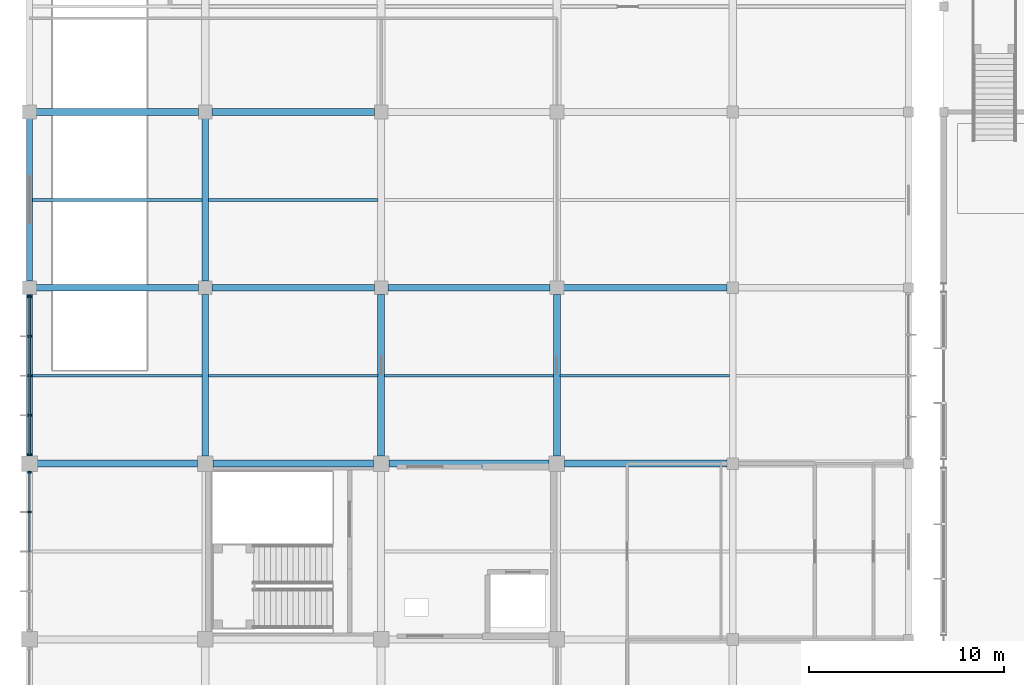
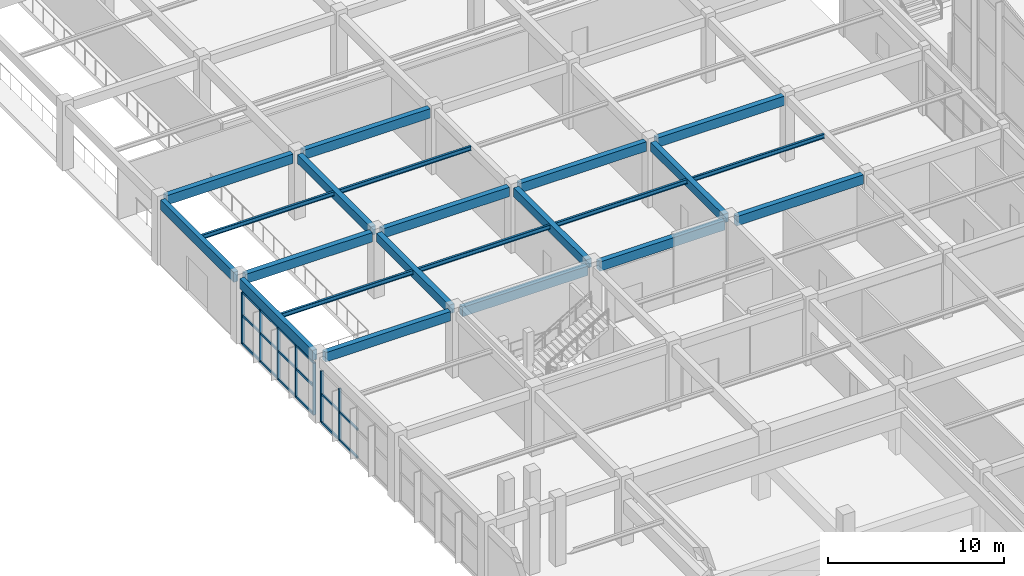
# One storey, part 26 of 82: 22 beams, 20 members, 2 elements without a shape of their own.
"""IFC4 building model written with IfcOpenShell, lengths in metres."""

from ifc_helpers import new_model, si_unit, direction, frame, origin, origin_2d, place, context, subcontext, project, spatial, rectangle, i_section, extrude, material, material_profile, profile_set, type_object, element, aggregate, save


model = new_model("IFC4")

# Units and contexts
model_context = context("Model", 3, precision=1e-05, world=origin(), true_north=direction((0.0, 1.0)))
body_context = subcontext(model_context, "Body", "Model", "MODEL_VIEW")
ifc_project = project(units=[si_unit("LENGTHUNIT", "METRE"), si_unit("AREAUNIT", "SQUARE_METRE"), si_unit("VOLUMEUNIT", "CUBIC_METRE"), si_unit("PLANEANGLEUNIT", "RADIAN"), si_unit("MASSUNIT", "GRAM", prefix="KILO")], contexts=[model_context])

# Site, building, storey
site_placement = place(None, origin())
site = spatial("IfcSite", under=ifc_project, at=site_placement, CompositionType="ELEMENT")
building_placement = place(site_placement, origin())
building = spatial("IfcBuilding", under=site, at=building_placement, Name="Suirenkawa Promenade Aquatics Centre", CompositionType="ELEMENT")
storey_placement = place(building_placement, origin())
storey = spatial("IfcBuildingStorey", under=building, at=storey_placement, Name="L00", CompositionType="ELEMENT", Elevation=0.0)

# Beams
ifc_material_1 = material(Name="Steel IS 2062 E350 (Grade 350)", Category="steel")
ifc_material_profile_1 = material_profile(ifc_material_1, i_section(OverallWidth=0.139892578125, OverallDepth=0.300048828125, WebThickness=0.008056640625, FlangeThickness=0.012939453125, at=origin_2d()), Name="ISMB 300", Category="steel")
ifc_profile_set_1 = profile_set([ifc_material_profile_1], Name="Steel IS 2062 E350 (Grade 350)")
beam_type_1 = type_object("IfcBeamType", Name="BT-JOIST-ISMB300", PredefinedType="JOIST", material=ifc_profile_set_1)
for number, where, z_axis, x_axis, name in (
    (1, (0.14404296875, 72.89990234375, 4.347900390625), (1.0, 0.0, 0.0), (0.0, 1.0, 0.0), "Secondary floor joist JS-02 BM-0339"),
    (2, (0.14404296875, 81.89990234375, 4.347900390625), (1.0, 0.0, 0.0), (0.0, 1.0, 0.0), "Secondary floor joist JS-02 BM-0340"),
):
    element("IfcBeam", number, at=place(storey_placement, frame(where, z_axis=z_axis, x_axis=x_axis)), inside=storey, type_object=beam_type_1, Name=name, PredefinedType="JOIST", context=body_context, shape_type="SweptSolid", body=[
        extrude(i_section(OverallWidth=0.139892578125, OverallDepth=0.300048828125, WebThickness=0.008056640625, FlangeThickness=0.012939453125, at=origin_2d()), origin(), (0.0, 0.0, 1.0), 8.68701171875),
    ])
for number, where, z_axis, x_axis, name in (
    (3, (9.1689453125, 72.89990234375, 4.347900390625), (1.0, 0.0, 0.0), (0.0, 1.0, 0.0), "Secondary floor joist JS-02 BM-0347"),
    (4, (9.1689453125, 81.89990234375, 4.347900390625), (1.0, 0.0, 0.0), (0.0, 1.0, 0.0), "Secondary floor joist JS-02 BM-0348"),
    (5, (18.1689453125, 72.89990234375, 4.347900390625), (1.0, 0.0, 0.0), (0.0, 1.0, 0.0), "Secondary floor joist JS-02 BM-0357"),
    (6, (27.1689453125, 72.89990234375, 4.347900390625), (1.0, 0.0, 0.0), (0.0, 1.0, 0.0), "Secondary floor joist JS-02 BM-0369"),
):
    element("IfcBeam", number, at=place(storey_placement, frame(where, z_axis=z_axis, x_axis=x_axis)), inside=storey, type_object=beam_type_1, Name=name, PredefinedType="JOIST", context=body_context, shape_type="SweptSolid", body=[
        extrude(i_section(OverallWidth=0.139892578125, OverallDepth=0.300048828125, WebThickness=0.008056640625, FlangeThickness=0.012939453125, at=origin_2d()), origin(), (0.0, 0.0, 1.0), 8.662109375),
    ])
ifc_material_2 = material(Name="Concrete M35", Category="concrete")
ifc_material_profile_2 = material_profile(ifc_material_2, rectangle(XDim=0.35009765625, YDim=0.60009765625, at=origin_2d()), Name="RC BM 350x600", Category="concrete")
ifc_profile_set_2 = profile_set([ifc_material_profile_2], Name="Concrete M35")
beam_type_2 = type_object("IfcBeamType", Name="BT-RC-350x600", PredefinedType="BEAM", material=ifc_profile_set_2)
beam_1_placement = place(storey_placement, frame((9.0, 68.7939453125, 4.199951171875), z_axis=(0.0, 1.0, 0.0), x_axis=(-1.0, 0.0, 0.0)))
element("IfcBeam", 7, at=beam_1_placement, inside=storey, type_object=beam_type_2, Name="Floor beam BM-02 BM-0281", PredefinedType="BEAM", context=body_context, shape_type="SweptSolid", body=[
    extrude(rectangle(XDim=0.35009765625, YDim=0.60009765625, at=origin_2d()), origin(), (0.0, 0.0, 1.0), 8.261962890625),
])
beam_2_placement = place(storey_placement, frame((9.0, 77.743896484375, 4.199951171875), z_axis=(0.0, 1.0, 0.0), x_axis=(-1.0, 0.0, 0.0)))
element("IfcBeam", 8, at=beam_2_placement, inside=storey, type_object=beam_type_2, Name="Floor beam BM-02 BM-0282", PredefinedType="BEAM", context=body_context, shape_type="SweptSolid", body=[
    extrude(rectangle(XDim=0.35009765625, YDim=0.60009765625, at=origin_2d()), origin(), (0.0, 0.0, 1.0), 8.31201171875),
])
for number, where, z_axis, x_axis, name in (
    (9, (18.0, 68.7939453125, 4.199951171875), (0.0, 1.0, 0.0), (-1.0, 0.0, 0.0), "Floor beam BM-02 BM-0291"),
    (10, (27.0, 68.7939453125, 4.199951171875), (0.0, 1.0, 0.0), (-1.0, 0.0, 0.0), "Floor beam BM-02 BM-0303"),
):
    element("IfcBeam", number, at=place(storey_placement, frame(where, z_axis=z_axis, x_axis=x_axis)), inside=storey, type_object=beam_type_2, Name=name, PredefinedType="BEAM", context=body_context, shape_type="SweptSolid", body=[
        extrude(rectangle(XDim=0.35009765625, YDim=0.60009765625, at=origin_2d()), origin(), (0.0, 0.0, 1.0), 8.261962890625),
    ])
ifc_material_profile_3 = material_profile(ifc_material_2, rectangle(XDim=0.35009765625, YDim=0.64990234375, at=origin_2d()), Name="RC BM 350x650", Category="concrete")
ifc_profile_set_3 = profile_set([ifc_material_profile_3], Name="Concrete M35")
beam_type_3 = type_object("IfcBeamType", Name="BT-RC-350x650", PredefinedType="BEAM", material=ifc_profile_set_3)
for number, where, z_axis, x_axis, name in (
    (11, (0.39404296875, 68.39990234375, 4.175048828125), (1.0, 0.0, 0.0), (0.0, 1.0, 0.0), "Floor beam BM-03 BM-0232"),
    (12, (9.39404296875, 68.39990234375, 4.175048828125), (1.0, 0.0, 0.0), (0.0, 1.0, 0.0), "Floor beam BM-03 BM-0233"),
    (13, (18.39404296875, 68.39990234375, 4.175048828125), (1.0, 0.0, 0.0), (0.0, 1.0, 0.0), "Floor beam BM-03 BM-0234"),
):
    element("IfcBeam", number, at=place(storey_placement, frame(where, z_axis=z_axis, x_axis=x_axis)), inside=storey, type_object=beam_type_3, Name=name, PredefinedType="BEAM", context=body_context, shape_type="SweptSolid", body=[
        extrude(rectangle(XDim=0.35009765625, YDim=0.64990234375, at=origin_2d()), origin(), (0.0, 0.0, 1.0), 8.2119140625),
    ])
for number, where, z_axis, x_axis, name in (
    (14, (27.39404296875, 68.39990234375, 4.175048828125), (1.0, 0.0, 0.0), (0.0, 1.0, 0.0), "Floor beam BM-03 BM-0235"),
    (15, (0.343994140625, 77.39990234375, 4.175048828125), (1.0, 0.0, 0.0), (0.0, 1.0, 0.0), "Floor beam BM-03 BM-0237"),
    (16, (9.343994140625, 77.39990234375, 4.175048828125), (1.0, 0.0, 0.0), (0.0, 1.0, 0.0), "Floor beam BM-03 BM-0238"),
    (17, (18.343994140625, 77.39990234375, 4.175048828125), (1.0, 0.0, 0.0), (0.0, 1.0, 0.0), "Floor beam BM-03 BM-0239"),
):
    element("IfcBeam", number, at=place(storey_placement, frame(where, z_axis=z_axis, x_axis=x_axis)), inside=storey, type_object=beam_type_3, Name=name, PredefinedType="BEAM", context=body_context, shape_type="SweptSolid", body=[
        extrude(rectangle(XDim=0.35009765625, YDim=0.64990234375, at=origin_2d()), origin(), (0.0, 0.0, 1.0), 8.31201171875),
    ])
beam_3_placement = place(storey_placement, frame((27.343994140625, 77.39990234375, 4.175048828125), z_axis=(1.0, 0.0, 0.0), x_axis=(0.0, 1.0, 0.0)))
element("IfcBeam", 18, at=beam_3_placement, inside=storey, type_object=beam_type_3, Name="Floor beam BM-03 BM-0240", PredefinedType="BEAM", context=body_context, shape_type="SweptSolid", body=[
    extrude(rectangle(XDim=0.35009765625, YDim=0.64990234375, at=origin_2d()), origin(), (0.0, 0.0, 1.0), 8.362060546875),
])
for number, where, z_axis, x_axis, name in (
    (19, (0.343994140625, 86.39990234375, 4.175048828125), (1.0, 0.0, 0.0), (0.0, 1.0, 0.0), "Floor beam BM-03 BM-0242"),
    (20, (9.343994140625, 86.39990234375, 4.175048828125), (1.0, 0.0, 0.0), (0.0, 1.0, 0.0), "Floor beam BM-03 BM-0243"),
):
    element("IfcBeam", number, at=place(storey_placement, frame(where, z_axis=z_axis, x_axis=x_axis)), inside=storey, type_object=beam_type_3, Name=name, PredefinedType="BEAM", context=body_context, shape_type="SweptSolid", body=[
        extrude(rectangle(XDim=0.35009765625, YDim=0.64990234375, at=origin_2d()), origin(), (0.0, 0.0, 1.0), 8.31201171875),
    ])
ifc_material_3 = material(Name="Concrete M40", Category="concrete")
ifc_material_profile_4 = material_profile(ifc_material_3, rectangle(XDim=0.300048828125, YDim=0.699951171875, at=origin_2d()), Name="RC SPANDREL 300x700", Category="concrete")
ifc_profile_set_4 = profile_set([ifc_material_profile_4], Name="Concrete M40")
beam_type_4 = type_object("IfcBeamType", Name="BT-SPANDREL-300x700", PredefinedType="SPANDREL", material=ifc_profile_set_4)
beam_4_placement = place(storey_placement, frame((0.0, 68.7939453125, 4.14990234375), z_axis=(0.0, 1.0, 0.0), x_axis=(-1.0, 0.0, 0.0)))
element("IfcBeam", 21, at=beam_4_placement, inside=storey, type_object=beam_type_4, Name="Floor beam SP-01 BM-0269", PredefinedType="SPANDREL", context=body_context, shape_type="SweptSolid", body=[
    extrude(rectangle(XDim=0.300048828125, YDim=0.699951171875, at=origin_2d()), origin(), (0.0, 0.0, 1.0), 8.261962890625),
])
beam_5_placement = place(storey_placement, frame((0.0, 77.743896484375, 4.14990234375), z_axis=(0.0, 1.0, 0.0), x_axis=(-1.0, 0.0, 0.0)))
element("IfcBeam", 22, at=beam_5_placement, inside=storey, type_object=beam_type_4, Name="Floor beam SP-01 BM-0270", PredefinedType="SPANDREL", context=body_context, shape_type="SweptSolid", body=[
    extrude(rectangle(XDim=0.300048828125, YDim=0.699951171875, at=origin_2d()), origin(), (0.0, 0.0, 1.0), 8.31201171875),
])

# Curtain wall, members
ifc_material_4 = material(Name="Anodised aluminium 6063-T6", Category="aluminium")
curtain_wall_type = type_object("IfcCurtainWallType", Name="CWAT-V5WL00-42", PredefinedType="NOTDEFINED", material=ifc_material_4)
curtain_wall_1_placement = place(storey_placement, origin())
curtain_wall_1 = element("IfcCurtainWall", 23, at=curtain_wall_1_placement, inside=storey, type_object=curtain_wall_type, Name="Curtain wall CWA-42 CW-092", PredefinedType="NOTDEFINED")
ifc_material_profile_5 = material_profile(ifc_material_4, rectangle(XDim=0.094970703125, YDim=0.18994140625, at=origin_2d()), Name="ALU MULL 95x190", Category="aluminium")
ifc_profile_set_5 = profile_set([ifc_material_profile_5], Name="Anodised aluminium 6063-T6")
member_type_1 = type_object("IfcMemberType", Name="CWM-190x95", PredefinedType="MULLION", material=ifc_profile_set_5)
member_1_placement = place(storey_placement, frame((0.0, 65.925537109375, 0.0), z_axis=(0.0, 0.0, 1.0), x_axis=(0.0, 1.0, 0.0)))
member_1 = element("IfcMember", 24, at=member_1_placement, type_object=member_type_1, Name="Mullion ML-02 CWM-01821", PredefinedType="MULLION", context=body_context, shape_type="SweptSolid", body=[
    extrude(rectangle(XDim=0.094970703125, YDim=0.18994140625, at=origin_2d()), origin(), (0.0, 0.0, 1.0), 3.570068359375),
])
member_2_placement = place(storey_placement, frame((0.0, 67.950927734375, 0.0), z_axis=(0.0, 0.0, 1.0), x_axis=(0.0, 1.0, 0.0)))
member_2 = element("IfcMember", 25, at=member_2_placement, type_object=member_type_1, Name="Mullion ML-02 CWM-01822", PredefinedType="MULLION", context=body_context, shape_type="SweptSolid", body=[
    extrude(rectangle(XDim=0.094970703125, YDim=0.18994140625, at=origin_2d()), origin(), (0.0, 0.0, 1.0), 3.570068359375),
])

curtain_wall_2_placement = place(storey_placement, origin())
curtain_wall_2 = element("IfcCurtainWall", 26, at=curtain_wall_2_placement, inside=storey, type_object=curtain_wall_type, Name="Curtain wall CWA-42 CW-093", PredefinedType="NOTDEFINED")
member_3_placement = place(storey_placement, frame((0.0, 68.84912109375, 0.0), z_axis=(0.0, 0.0, 1.0), x_axis=(0.0, 1.0, 0.0)))
member_3 = element("IfcMember", 27, at=member_3_placement, type_object=member_type_1, Name="Mullion ML-02 CWM-01840", PredefinedType="MULLION", context=body_context, shape_type="SweptSolid", body=[
    extrude(rectangle(XDim=0.094970703125, YDim=0.18994140625, at=origin_2d()), origin(), (0.0, 0.0, 1.0), 3.570068359375),
])
member_4_placement = place(storey_placement, frame((0.0, 70.87451171875, 0.0), z_axis=(0.0, 0.0, 1.0), x_axis=(0.0, 1.0, 0.0)))
member_4 = element("IfcMember", 28, at=member_4_placement, type_object=member_type_1, Name="Mullion ML-02 CWM-01841", PredefinedType="MULLION", context=body_context, shape_type="SweptSolid", body=[
    extrude(rectangle(XDim=0.094970703125, YDim=0.18994140625, at=origin_2d()), origin(), (0.0, 0.0, 1.0), 3.570068359375),
])
member_5_placement = place(storey_placement, frame((0.0, 72.89990234375, 0.0), z_axis=(0.0, 0.0, 1.0), x_axis=(0.0, 1.0, 0.0)))
member_5 = element("IfcMember", 29, at=member_5_placement, type_object=member_type_1, Name="Mullion ML-02 CWM-01842", PredefinedType="MULLION", context=body_context, shape_type="SweptSolid", body=[
    extrude(rectangle(XDim=0.094970703125, YDim=0.18994140625, at=origin_2d()), origin(), (0.0, 0.0, 1.0), 3.570068359375),
])
member_6_placement = place(storey_placement, frame((0.0, 74.925537109375, 0.0), z_axis=(0.0, 0.0, 1.0), x_axis=(0.0, 1.0, 0.0)))
member_6 = element("IfcMember", 30, at=member_6_placement, type_object=member_type_1, Name="Mullion ML-02 CWM-01843", PredefinedType="MULLION", context=body_context, shape_type="SweptSolid", body=[
    extrude(rectangle(XDim=0.094970703125, YDim=0.18994140625, at=origin_2d()), origin(), (0.0, 0.0, 1.0), 3.570068359375),
])
member_7_placement = place(storey_placement, frame((0.0, 76.950927734375, 0.0), z_axis=(0.0, 0.0, 1.0), x_axis=(0.0, 1.0, 0.0)))
member_7 = element("IfcMember", 31, at=member_7_placement, type_object=member_type_1, Name="Mullion ML-02 CWM-01844", PredefinedType="MULLION", context=body_context, shape_type="SweptSolid", body=[
    extrude(rectangle(XDim=0.094970703125, YDim=0.18994140625, at=origin_2d()), origin(), (0.0, 0.0, 1.0), 3.570068359375),
])

# Member
ifc_material_profile_6 = material_profile(ifc_material_4, rectangle(XDim=0.094970703125, YDim=0.14990234375, at=origin_2d()), Name="ALU TRAN 95x150", Category="aluminium")
ifc_profile_set_6 = profile_set([ifc_material_profile_6], Name="Anodised aluminium 6063-T6")
member_type_2 = type_object("IfcMemberType", Name="CWT-150x95", PredefinedType="USERDEFINED", material=ifc_profile_set_6)
member_8_placement = place(storey_placement, frame((0.0, 63.89990234375, 0.0), z_axis=(0.0, 1.0, 0.0), x_axis=(-1.0, 0.0, 0.0)))
member_8 = element("IfcMember", 32, at=member_8_placement, type_object=member_type_2, Name="Transom TR-02 CWT-01825", ObjectType="TRANSOM", PredefinedType="USERDEFINED", context=body_context, shape_type="SweptSolid", body=[
    extrude(rectangle(XDim=0.094970703125, YDim=0.14990234375, at=origin_2d()), origin(), (0.0, 0.0, 1.0), 2.025634765625),
])

member_9_placement = place(storey_placement, frame((0.0, 65.925537109375, 0.0), z_axis=(0.0, 1.0, 0.0), x_axis=(-1.0, 0.0, 0.0)))
member_9 = element("IfcMember", 33, at=member_9_placement, type_object=member_type_2, Name="Transom TR-02 CWT-01826", ObjectType="TRANSOM", PredefinedType="USERDEFINED", context=body_context, shape_type="SweptSolid", body=[
    extrude(rectangle(XDim=0.094970703125, YDim=0.14990234375, at=origin_2d()), origin(), (0.0, 0.0, 1.0), 2.025390625),
])

member_10_placement = place(storey_placement, frame((0.0, 63.89990234375, 1.949951171875), z_axis=(0.0, 1.0, 0.0), x_axis=(-1.0, 0.0, 0.0)))
member_10 = element("IfcMember", 34, at=member_10_placement, type_object=member_type_2, Name="Transom TR-02 CWT-01829", ObjectType="TRANSOM", PredefinedType="USERDEFINED", context=body_context, shape_type="SweptSolid", body=[
    extrude(rectangle(XDim=0.094970703125, YDim=0.14990234375, at=origin_2d()), origin(), (0.0, 0.0, 1.0), 2.025634765625),
])

member_11_placement = place(storey_placement, frame((0.0, 65.925537109375, 1.949951171875), z_axis=(0.0, 1.0, 0.0), x_axis=(-1.0, 0.0, 0.0)))
member_11 = element("IfcMember", 35, at=member_11_placement, type_object=member_type_2, Name="Transom TR-02 CWT-01830", ObjectType="TRANSOM", PredefinedType="USERDEFINED", context=body_context, shape_type="SweptSolid", body=[
    extrude(rectangle(XDim=0.094970703125, YDim=0.14990234375, at=origin_2d()), origin(), (0.0, 0.0, 1.0), 2.025390625),
])

aggregate(curtain_wall_1, [member_1, member_2, member_8, member_9, member_10, member_11])

member_12_placement = place(storey_placement, frame((0.0, 68.84912109375, 0.0), z_axis=(0.0, 1.0, 0.0), x_axis=(-1.0, 0.0, 0.0)))
member_12 = element("IfcMember", 36, at=member_12_placement, type_object=member_type_2, Name="Transom TR-02 CWT-01845", ObjectType="TRANSOM", PredefinedType="USERDEFINED", context=body_context, shape_type="SweptSolid", body=[
    extrude(rectangle(XDim=0.094970703125, YDim=0.14990234375, at=origin_2d()), origin(), (0.0, 0.0, 1.0), 2.025390625),
])

member_13_placement = place(storey_placement, frame((0.0, 70.87451171875, 0.0), z_axis=(0.0, 1.0, 0.0), x_axis=(-1.0, 0.0, 0.0)))
member_13 = element("IfcMember", 37, at=member_13_placement, type_object=member_type_2, Name="Transom TR-02 CWT-01846", ObjectType="TRANSOM", PredefinedType="USERDEFINED", context=body_context, shape_type="SweptSolid", body=[
    extrude(rectangle(XDim=0.094970703125, YDim=0.14990234375, at=origin_2d()), origin(), (0.0, 0.0, 1.0), 2.025390625),
])

member_14_placement = place(storey_placement, frame((0.0, 72.89990234375, 0.0), z_axis=(0.0, 1.0, 0.0), x_axis=(-1.0, 0.0, 0.0)))
member_14 = element("IfcMember", 38, at=member_14_placement, type_object=member_type_2, Name="Transom TR-02 CWT-01847", ObjectType="TRANSOM", PredefinedType="USERDEFINED", context=body_context, shape_type="SweptSolid", body=[
    extrude(rectangle(XDim=0.094970703125, YDim=0.14990234375, at=origin_2d()), origin(), (0.0, 0.0, 1.0), 2.025634765625),
])

member_15_placement = place(storey_placement, frame((0.0, 74.925537109375, 0.0), z_axis=(0.0, 1.0, 0.0), x_axis=(-1.0, 0.0, 0.0)))
member_15 = element("IfcMember", 39, at=member_15_placement, type_object=member_type_2, Name="Transom TR-02 CWT-01848", ObjectType="TRANSOM", PredefinedType="USERDEFINED", context=body_context, shape_type="SweptSolid", body=[
    extrude(rectangle(XDim=0.094970703125, YDim=0.14990234375, at=origin_2d()), origin(), (0.0, 0.0, 1.0), 2.025390625),
])

member_16_placement = place(storey_placement, frame((0.0, 68.84912109375, 1.949951171875), z_axis=(0.0, 1.0, 0.0), x_axis=(-1.0, 0.0, 0.0)))
member_16 = element("IfcMember", 40, at=member_16_placement, type_object=member_type_2, Name="Transom TR-02 CWT-01849", ObjectType="TRANSOM", PredefinedType="USERDEFINED", context=body_context, shape_type="SweptSolid", body=[
    extrude(rectangle(XDim=0.094970703125, YDim=0.14990234375, at=origin_2d()), origin(), (0.0, 0.0, 1.0), 2.025390625),
])

member_17_placement = place(storey_placement, frame((0.0, 70.87451171875, 1.949951171875), z_axis=(0.0, 1.0, 0.0), x_axis=(-1.0, 0.0, 0.0)))
member_17 = element("IfcMember", 41, at=member_17_placement, type_object=member_type_2, Name="Transom TR-02 CWT-01850", ObjectType="TRANSOM", PredefinedType="USERDEFINED", context=body_context, shape_type="SweptSolid", body=[
    extrude(rectangle(XDim=0.094970703125, YDim=0.14990234375, at=origin_2d()), origin(), (0.0, 0.0, 1.0), 2.025390625),
])

member_18_placement = place(storey_placement, frame((0.0, 72.89990234375, 1.949951171875), z_axis=(0.0, 1.0, 0.0), x_axis=(-1.0, 0.0, 0.0)))
member_18 = element("IfcMember", 42, at=member_18_placement, type_object=member_type_2, Name="Transom TR-02 CWT-01851", ObjectType="TRANSOM", PredefinedType="USERDEFINED", context=body_context, shape_type="SweptSolid", body=[
    extrude(rectangle(XDim=0.094970703125, YDim=0.14990234375, at=origin_2d()), origin(), (0.0, 0.0, 1.0), 2.025634765625),
])

member_19_placement = place(storey_placement, frame((0.0, 74.925537109375, 1.949951171875), z_axis=(0.0, 1.0, 0.0), x_axis=(-1.0, 0.0, 0.0)))
member_19 = element("IfcMember", 43, at=member_19_placement, type_object=member_type_2, Name="Transom TR-02 CWT-01852", ObjectType="TRANSOM", PredefinedType="USERDEFINED", context=body_context, shape_type="SweptSolid", body=[
    extrude(rectangle(XDim=0.094970703125, YDim=0.14990234375, at=origin_2d()), origin(), (0.0, 0.0, 1.0), 2.025390625),
])

member_20_placement = place(storey_placement, frame((0.0, 68.84912109375, 3.570068359375), z_axis=(0.0, 1.0, 0.0), x_axis=(-1.0, 0.0, 0.0)))
member_20 = element("IfcMember", 44, at=member_20_placement, type_object=member_type_2, Name="Roofline transom TR-02 CWT-01853", ObjectType="TRANSOM", PredefinedType="USERDEFINED", context=body_context, shape_type="SweptSolid", body=[
    extrude(rectangle(XDim=0.094970703125, YDim=0.14990234375, at=origin_2d()), origin(), (0.0, 0.0, 1.0), 8.101806640625),
])

aggregate(curtain_wall_2, [member_3, member_4, member_5, member_6, member_7, member_12, member_13, member_14, member_15, member_16, member_17, member_18, member_19, member_20])

save(model, "model.ifc")
